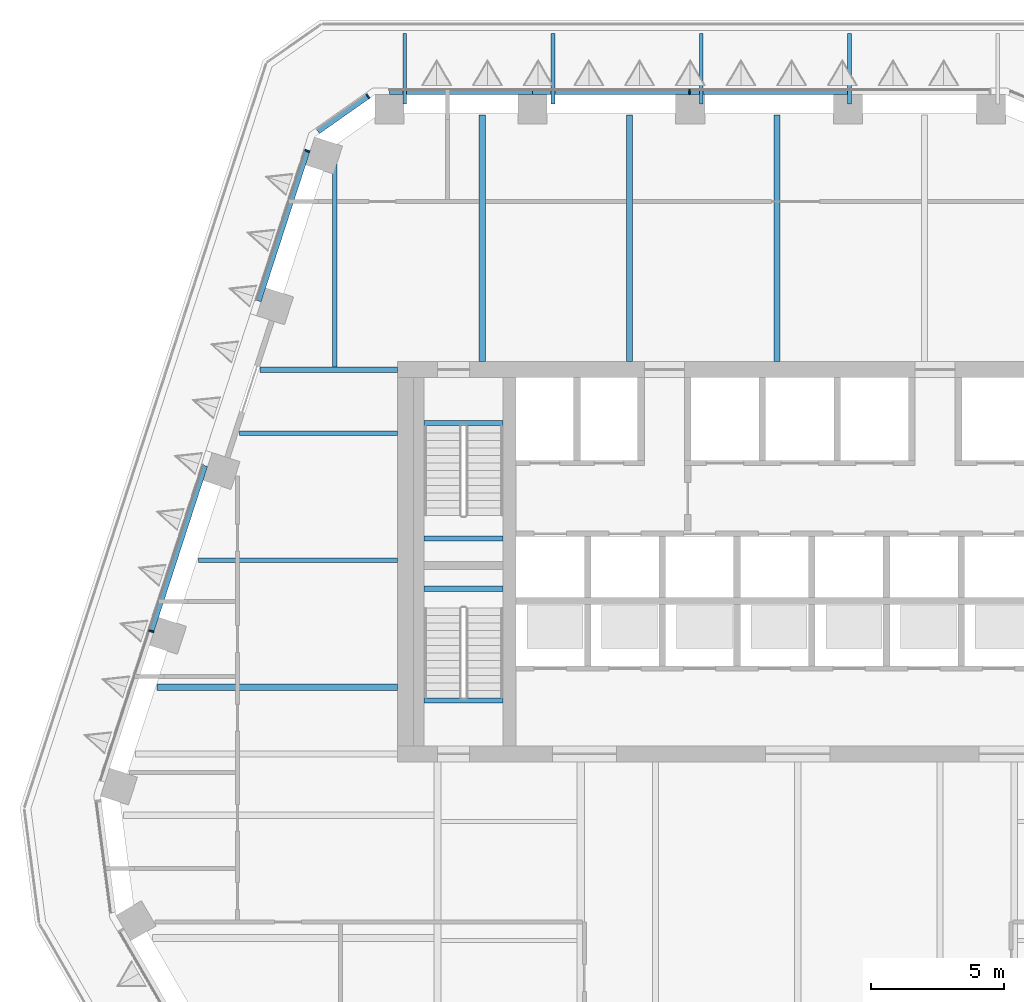
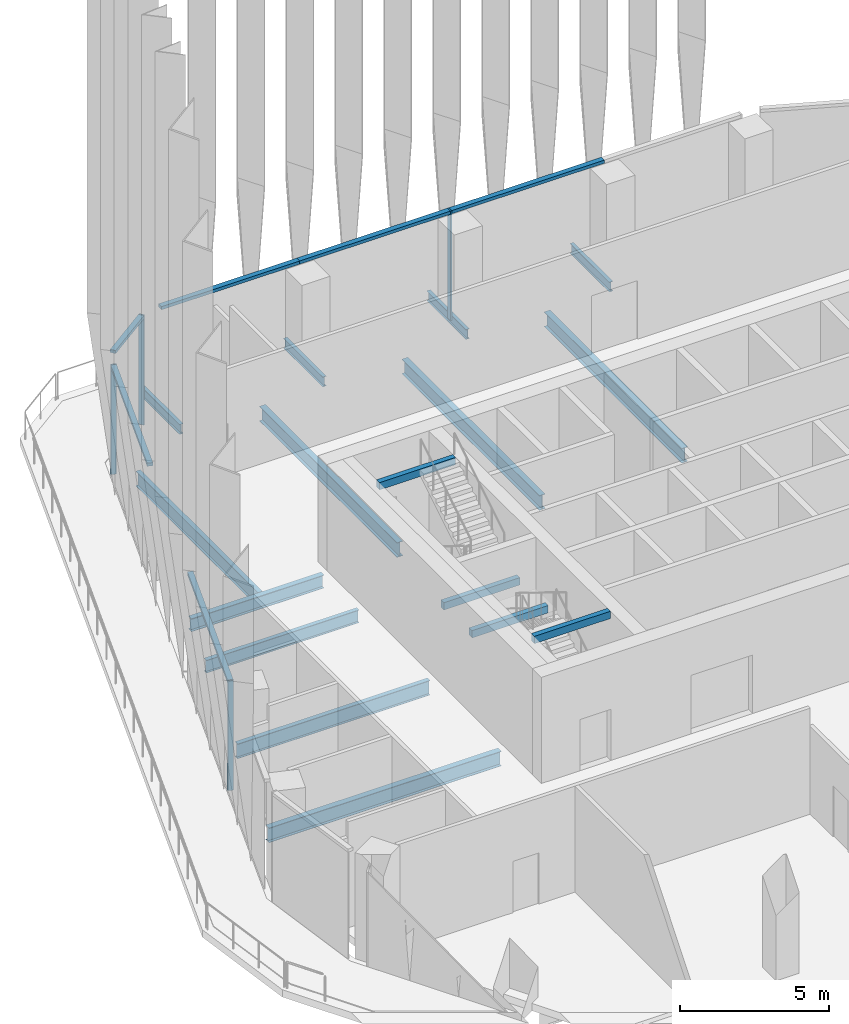
# One storey, part 6 of 21: 16 beams, 10 members, 3 elements without a shape of their own.
"""IFC4 building model written with IfcOpenShell, lengths in metres."""

from ifc_helpers import new_model, si_unit, direction, frame, origin, origin_2d, place, context, subcontext, project, spatial, rectangle, i_section, extrude, material, layer, layer_set, material_profile, profile_set, type_object, element, aggregate, save


model = new_model("IFC4")

# Units and contexts
model_context = context("Model", 3, precision=1e-05, world=origin(), true_north=direction((0.0, 1.0)))
body_context = subcontext(model_context, "Body", "Model", "MODEL_VIEW")
ifc_project = project(units=[si_unit("LENGTHUNIT", "METRE"), si_unit("AREAUNIT", "SQUARE_METRE"), si_unit("VOLUMEUNIT", "CUBIC_METRE"), si_unit("PLANEANGLEUNIT", "RADIAN"), si_unit("MASSUNIT", "GRAM", prefix="KILO")], contexts=[model_context])

# Site, building, storey
site_placement = place(None, origin())
site = spatial("IfcSite", under=ifc_project, at=site_placement, CompositionType="ELEMENT")
building_placement = place(site_placement, origin())
building = spatial("IfcBuilding", under=site, at=building_placement, Name="Isthmus Gate Tower", CompositionType="ELEMENT")
storey_placement = place(building_placement, frame((0.0, 0.0, 211.800048828125)))
storey = spatial("IfcBuildingStorey", under=building, at=storey_placement, Name="L53", CompositionType="ELEMENT", Elevation=211.800048828125)

# Curtain wall, member
ifc_material_1 = material(Name="Aluminium, pale champagne anodised", Category="aluminium")
ifc_layer = layer(ifc_material_1, 0.199951171875)
ifc_layer_set = layer_set([ifc_layer], Name="CW-1 UNITISED CURTAIN WALL 200 DEEP")
curtain_wall_type = type_object("IfcCurtainWallType", Name="CW-1 UNITISED CURTAIN WALL 200 DEEP", PredefinedType="NOTDEFINED", material=ifc_layer_set)
curtain_wall_1_placement = place(storey_placement, origin())
curtain_wall_1 = element("IfcCurtainWall", 1, at=curtain_wall_1_placement, inside=storey, type_object=curtain_wall_type, Name="CW-1 N L53", PredefinedType="NOTDEFINED")
ifc_material_2 = material(Name="Aluminium, pale champagne anodised", Category="aluminium")
ifc_material_profile_1 = material_profile(ifc_material_2, rectangle(XDim=0.06005859375, YDim=0.199951171875, at=origin_2d()), Name="60x200")
ifc_profile_set_1 = profile_set([ifc_material_profile_1], Name="Aluminium, pale champagne anodised")
member_type_1 = type_object("IfcMemberType", Name="CW-1 MULLION 60 X 200", PredefinedType="MULLION", material=ifc_profile_set_1)
member_1_placement = place(storey_placement, frame((-4.06005859375, 25.10009765625, 0.0), z_axis=(0.0, 0.0, 1.0), x_axis=(-1.0, 0.0, 0.0)))
member_1 = element("IfcMember", 2, at=member_1_placement, type_object=member_type_1, Name="CW-1 mullion", PredefinedType="MULLION", context=body_context, shape_type="SweptSolid", body=[
    extrude(rectangle(XDim=0.06005859375, YDim=0.199951171875, at=origin_2d()), origin(), (0.0, 0.0, 1.0), 4.5),
])

curtain_wall_2_placement = place(storey_placement, origin())
curtain_wall_2 = element("IfcCurtainWall", 3, at=curtain_wall_2_placement, inside=storey, type_object=curtain_wall_type, Name="CW-1 N-NW L53", PredefinedType="NOTDEFINED")
member_2_placement = place(storey_placement, frame((-16.10595703125, 24.943115234375, 0.0), z_axis=(0.0, 0.0, 1.0), x_axis=(-0.81785959165, -0.57541783805, 0.0)))
member_2 = element("IfcMember", 4, at=member_2_placement, type_object=member_type_1, Name="CW-1 mullion", PredefinedType="MULLION", context=body_context, shape_type="SweptSolid", body=[
    extrude(rectangle(XDim=0.06005859375, YDim=0.199951171875, at=origin_2d()), origin(), (0.0, 0.0, 1.0), 4.5),
])

# Curtain wall, members
curtain_wall_3_placement = place(storey_placement, origin())
curtain_wall_3 = element("IfcCurtainWall", 5, at=curtain_wall_3_placement, inside=storey, type_object=curtain_wall_type, Name="CW-1 NW L53", PredefinedType="NOTDEFINED")
member_3_placement = place(storey_placement, frame((-18.37841796875, 22.894287109375, 0.0), z_axis=(0.0, 0.0, 1.0), x_axis=(-0.309016994375, -0.951056516295, 0.0)))
member_3 = element("IfcMember", 6, at=member_3_placement, type_object=member_type_1, Name="CW-1 mullion", PredefinedType="MULLION", context=body_context, shape_type="SweptSolid", body=[
    extrude(rectangle(XDim=0.06005859375, YDim=0.199951171875, at=origin_2d()), origin(), (0.0, 0.0, 1.0), 4.5),
])
member_4_placement = place(storey_placement, frame((-24.226806640625, 4.894775390625, 0.0), z_axis=(0.0, 0.0, 1.0), x_axis=(-0.309016994375, -0.951056516295, 0.0)))
member_4 = element("IfcMember", 7, at=member_4_placement, type_object=member_type_1, Name="CW-1 mullion", PredefinedType="MULLION", context=body_context, shape_type="SweptSolid", body=[
    extrude(rectangle(XDim=0.06005859375, YDim=0.199951171875, at=origin_2d()), origin(), (0.0, 0.0, 1.0), 4.5),
])

# Member
ifc_material_3 = material(Name="Aluminium, pale champagne anodised", Category="aluminium")
ifc_material_profile_2 = material_profile(ifc_material_3, rectangle(XDim=0.199951171875, YDim=0.1298828125, at=origin_2d()), Name="200x130")
ifc_profile_set_2 = profile_set([ifc_material_profile_2], Name="Aluminium, pale champagne anodised")
member_type_2 = type_object("IfcMemberType", Name="CW-1 TRANSOM 200 X 130", PredefinedType="USERDEFINED", material=ifc_profile_set_2)
member_5_placement = place(storey_placement, frame((1.880615234375, 25.10009765625, 4.43505859375), z_axis=(-1.0, 0.0, 0.0), x_axis=(0.0, -1.0, 0.0)))
member_5 = element("IfcMember", 8, at=member_5_placement, type_object=member_type_2, Name="CW-1 transom", ObjectType="TRANSOM", PredefinedType="USERDEFINED", context=body_context, shape_type="SweptSolid", body=[
    extrude(rectangle(XDim=0.199951171875, YDim=0.1298828125, at=origin_2d()), origin(), (0.0, 0.0, 1.0), 5.91064453125),
])

member_6_placement = place(storey_placement, frame((-4.090087890625, 25.10009765625, 4.43505859375), z_axis=(-1.0, 0.0, 0.0), x_axis=(0.0, -1.0, 0.0)))
member_6 = element("IfcMember", 9, at=member_6_placement, type_object=member_type_2, Name="CW-1 transom", ObjectType="TRANSOM", PredefinedType="USERDEFINED", context=body_context, shape_type="SweptSolid", body=[
    extrude(rectangle(XDim=0.199951171875, YDim=0.1298828125, at=origin_2d()), origin(), (0.0, 0.0, 1.0), 5.8505859375),
])

member_7_placement = place(storey_placement, frame((-9.940673828125, 25.10009765625, 4.43505859375), z_axis=(-1.0, 0.0, 0.0), x_axis=(0.0, -1.0, 0.0)))
member_7 = element("IfcMember", 10, at=member_7_placement, type_object=member_type_2, Name="CW-1 transom", ObjectType="TRANSOM", PredefinedType="USERDEFINED", context=body_context, shape_type="SweptSolid", body=[
    extrude(rectangle(XDim=0.199951171875, YDim=0.1298828125, at=origin_2d()), origin(), (0.0, 0.0, 1.0), 5.360595703125),
])

aggregate(curtain_wall_1, [member_5, member_1, member_6, member_7])

member_8_placement = place(storey_placement, frame((-16.130615234375, 24.92578125, 4.43505859375), z_axis=(-0.817868595604, -0.575405040233, 0.0), x_axis=(0.575405040233, -0.817868595604, 0.0)))
member_8 = element("IfcMember", 11, at=member_8_placement, type_object=member_type_2, Name="CW-1 transom", ObjectType="TRANSOM", PredefinedType="USERDEFINED", context=body_context, shape_type="SweptSolid", body=[
    extrude(rectangle(XDim=0.199951171875, YDim=0.1298828125, at=origin_2d()), origin(), (0.0, 0.0, 1.0), 2.258544921875),
])

aggregate(curtain_wall_2, [member_2, member_8])

member_9_placement = place(storey_placement, frame((-18.3876953125, 22.86572265625, 4.43505859375), z_axis=(-0.309021311898, -0.951055113436, 0.0), x_axis=(0.951055113436, -0.309021311898, 0.0)))
member_9 = element("IfcMember", 12, at=member_9_placement, type_object=member_type_2, Name="CW-1 transom", ObjectType="TRANSOM", PredefinedType="USERDEFINED", context=body_context, shape_type="SweptSolid", body=[
    extrude(rectangle(XDim=0.199951171875, YDim=0.1298828125, at=origin_2d()), origin(), (0.0, 0.0, 1.0), 5.8818359375),
])

member_10_placement = place(storey_placement, frame((-22.21142578125, 11.09765625, 4.43505859375), z_axis=(-0.309009541063, -0.951058937991, 0.0), x_axis=(0.951058937991, -0.309009541063, 0.0)))
member_10 = element("IfcMember", 13, at=member_10_placement, type_object=member_type_2, Name="CW-1 transom", ObjectType="TRANSOM", PredefinedType="USERDEFINED", context=body_context, shape_type="SweptSolid", body=[
    extrude(rectangle(XDim=0.199951171875, YDim=0.1298828125, at=origin_2d()), origin(), (0.0, 0.0, 1.0), 6.491943359375),
])

aggregate(curtain_wall_3, [member_3, member_9, member_10, member_4])

# Beams
ifc_material_4 = material(Name="Concrete f'c 40 MPa", Category="concrete")
ifc_material_profile_3 = material_profile(ifc_material_4, rectangle(XDim=0.199951171875, YDim=0.300048828125, at=origin_2d()), Name="STAIR LANDING BEAM RC 200 X 300")
ifc_profile_set_3 = profile_set([ifc_material_profile_3], Name="Concrete f'c 40 MPa")
beam_type_1 = type_object("IfcBeamType", Name="STAIR LANDING BEAM RC 200 X 300", PredefinedType="BEAM", material=ifc_profile_set_3)
for number, where, z_axis, x_axis, name in (
    (14, (-14.0, 8.3701171875, 1.89990234375), (1.0, 0.0, 0.0), (0.0, 1.0, 0.0), "L53 ST1 landing beam 1"),
    (15, (-14.0, 12.7001953125, 4.199951171875), (1.0, 0.0, 0.0), (0.0, 1.0, 0.0), "L53 ST1 floor-edge seat beam"),
    (16, (-14.0, 6.47998046875, 1.89990234375), (1.0, 0.0, 0.0), (0.0, 1.0, 0.0), "L53 ST7 landing beam 1"),
    (17, (-14.0, 2.2998046875, 4.199951171875), (1.0, 0.0, 0.0), (0.0, 1.0, 0.0), "L53 ST7 floor-edge seat beam"),
):
    element("IfcBeam", number, at=place(storey_placement, frame(where, z_axis=z_axis, x_axis=x_axis)), inside=storey, type_object=beam_type_1, Name=name, PredefinedType="BEAM", context=body_context, shape_type="SweptSolid", body=[
        extrude(rectangle(XDim=0.199951171875, YDim=0.300048828125, at=origin_2d()), origin(), (0.0, 0.0, 1.0), 2.949951171875),
    ])
ifc_material_5 = material(Name="Structural steel ASTM A992 Gr 50", Category="steel")
ifc_material_profile_4 = material_profile(ifc_material_5, i_section(OverallWidth=0.1650390625, OverallDepth=0.52392578125, WebThickness=0.009521484375, FlangeThickness=0.010986328125, at=origin_2d()), Name="W21X44")
ifc_profile_set_4 = profile_set([ifc_material_profile_4], Name="Structural steel ASTM A992 Gr 50")
beam_type_2 = type_object("IfcBeamType", Name="STEEL FLOOR BEAM W21X44", PredefinedType="JOIST", material=ifc_profile_set_4)
beam_1_placement = place(storey_placement, frame((-20.91748046875, 12.319091796875, -0.56201171875), z_axis=(1.0, 0.0, 0.0), x_axis=(0.0, 1.0, 0.0)))
element("IfcBeam", 18, at=beam_1_placement, inside=storey, type_object=beam_type_2, Name="str-beam-L53-00-02", PredefinedType="JOIST", context=body_context, shape_type="SweptSolid", body=[
    extrude(i_section(OverallWidth=0.1650390625, OverallDepth=0.52392578125, WebThickness=0.009521484375, FlangeThickness=0.010986328125, at=origin_2d()), origin(), (0.0, 0.0, 1.0), 5.91748046875),
])
ifc_material_6 = material(Name="Structural steel ASTM A992 Gr 50", Category="steel")
ifc_material_profile_5 = material_profile(ifc_material_6, i_section(OverallWidth=0.177734375, OverallDepth=0.60009765625, WebThickness=0.009521484375, FlangeThickness=0.0126953125, at=origin_2d()), Name="W24X55")
ifc_profile_set_5 = profile_set([ifc_material_profile_5], Name="Structural steel ASTM A992 Gr 50")
beam_type_3 = type_object("IfcBeamType", Name="STEEL FLOOR BEAM W24X55", PredefinedType="JOIST", material=ifc_profile_set_5)
beam_2_placement = place(storey_placement, frame((-22.464599609375, 7.55712890625, -0.60009765625), z_axis=(1.0, 0.0, 0.0), x_axis=(0.0, 1.0, 0.0)))
element("IfcBeam", 19, at=beam_2_placement, inside=storey, type_object=beam_type_3, Name="str-beam-L53-00-01", PredefinedType="JOIST", context=body_context, shape_type="SweptSolid", body=[
    extrude(i_section(OverallWidth=0.177734375, OverallDepth=0.60009765625, WebThickness=0.009521484375, FlangeThickness=0.0126953125, at=origin_2d()), origin(), (0.0, 0.0, 1.0), 7.464599609375),
])
beam_3_placement = place(storey_placement, frame((-17.34765625, 14.8046875, -0.60009765625), z_axis=(0.0, 1.0, 0.0), x_axis=(-1.0, 0.0, 0.0)))
element("IfcBeam", 20, at=beam_3_placement, inside=storey, type_object=beam_type_3, Name="str-beam-L53-05-00", PredefinedType="JOIST", context=body_context, shape_type="SweptSolid", body=[
    extrude(i_section(OverallWidth=0.177734375, OverallDepth=0.60009765625, WebThickness=0.009521484375, FlangeThickness=0.0126953125, at=origin_2d()), origin(), (0.0, 0.0, 1.0), 8.2216796875),
])
ifc_material_7 = material(Name="Structural steel ASTM A992 Gr 50", Category="steel")
ifc_material_profile_6 = material_profile(ifc_material_7, i_section(OverallWidth=0.228515625, OverallDepth=0.603271484375, WebThickness=0.010986328125, FlangeThickness=0.014404296875, at=origin_2d()), Name="W24X68")
ifc_profile_set_6 = profile_set([ifc_material_profile_6], Name="Structural steel ASTM A992 Gr 50")
beam_type_4 = type_object("IfcBeamType", Name="STEEL FLOOR BEAM W24X68", PredefinedType="JOIST", material=ifc_profile_set_6)
beam_4_placement = place(storey_placement, frame((-24.011962890625, 2.795166015625, -0.6015625), z_axis=(1.0, 0.0, 0.0), x_axis=(0.0, 1.0, 0.0)))
element("IfcBeam", 21, at=beam_4_placement, inside=storey, type_object=beam_type_4, Name="str-beam-L53-00-00", PredefinedType="JOIST", context=body_context, shape_type="SweptSolid", body=[
    extrude(i_section(OverallWidth=0.228515625, OverallDepth=0.603271484375, WebThickness=0.010986328125, FlangeThickness=0.014404296875, at=origin_2d()), origin(), (0.0, 0.0, 1.0), 9.011962890625),
])
for number, where, z_axis, x_axis, name in (
    (22, (-11.822998046875, 15.0, -0.6015625), (0.0, 1.0, 0.0), (-1.0, 0.0, 0.0), "str-beam-L53-05-01"),
    (23, (-6.298583984375, 15.0, -0.6015625), (0.0, 1.0, 0.0), (-1.0, 0.0, 0.0), "str-beam-L53-05-02"),
    (24, (-0.77392578125, 15.0, -0.6015625), (0.0, 1.0, 0.0), (-1.0, 0.0, 0.0), "str-beam-L53-05-03"),
):
    element("IfcBeam", number, at=place(storey_placement, frame(where, z_axis=z_axis, x_axis=x_axis)), inside=storey, type_object=beam_type_4, Name=name, PredefinedType="JOIST", context=body_context, shape_type="SweptSolid", body=[
        extrude(i_section(OverallWidth=0.228515625, OverallDepth=0.603271484375, WebThickness=0.010986328125, FlangeThickness=0.014404296875, at=origin_2d()), origin(), (0.0, 0.0, 1.0), 9.246826171875),
    ])
ifc_material_8 = material(Name="Structural steel ASTM A992 Gr 50", Category="steel")
ifc_material_profile_7 = material_profile(ifc_material_8, i_section(OverallWidth=0.20947265625, OverallDepth=0.533447265625, WebThickness=0.009521484375, FlangeThickness=0.015869140625, at=origin_2d()), Name="W21X62")
ifc_profile_set_7 = profile_set([ifc_material_profile_7], Name="Structural steel ASTM A992 Gr 50")
beam_type_5 = type_object("IfcBeamType", Name="STEEL GIRDER W21X62", PredefinedType="BEAM", material=ifc_profile_set_7)
beam_5_placement = place(storey_placement, frame((-15.0, 14.699951171875, -0.566650390625), z_axis=(-1.0, 0.0, 0.0), x_axis=(0.0, -1.0, 0.0)))
element("IfcBeam", 25, at=beam_5_placement, inside=storey, type_object=beam_type_5, Name="str-girder-L53-11", PredefinedType="BEAM", context=body_context, shape_type="SweptSolid", body=[
    extrude(i_section(OverallWidth=0.20947265625, OverallDepth=0.533447265625, WebThickness=0.009521484375, FlangeThickness=0.015869140625, at=origin_2d()), origin(), (0.0, 0.0, 1.0), 5.143798828125),
])
ifc_material_9 = material(Name="Structural steel ASTM A992 Gr 50", Category="steel")
ifc_material_profile_8 = material_profile(ifc_material_9, i_section(OverallWidth=0.1396484375, OverallDepth=0.4033203125, WebThickness=0.00634765625, FlangeThickness=0.010986328125, at=origin_2d()), Name="W16X31")
ifc_profile_set_8 = profile_set([ifc_material_profile_8], Name="Structural steel ASTM A992 Gr 50")
beam_type_6 = type_object("IfcBeamType", Name="STEEL LEDGE BEAM W16X31", PredefinedType="JOIST", material=ifc_profile_set_8)
for number, where, z_axis, x_axis, name in (
    (26, (-14.732177734375, 24.6533203125, -0.501708984375), (0.0, 1.0, 0.0), (-1.0, 0.0, 0.0), "str-ringbeam-L53-00-05"),
    (27, (-9.17529296875, 24.6533203125, -0.501708984375), (0.0, 1.0, 0.0), (-1.0, 0.0, 0.0), "str-ringbeam-L53-00-07"),
    (28, (-3.618408203125, 24.6533203125, -0.501708984375), (0.0, 1.0, 0.0), (-1.0, 0.0, 0.0), "str-ringbeam-L53-00-09"),
    (29, (1.9384765625, 24.6533203125, -0.501708984375), (0.0, 1.0, 0.0), (-1.0, 0.0, 0.0), "str-ringbeam-L53-00-11"),
):
    element("IfcBeam", number, at=place(storey_placement, frame(where, z_axis=z_axis, x_axis=x_axis)), inside=storey, type_object=beam_type_6, Name=name, PredefinedType="JOIST", context=body_context, shape_type="SweptSolid", body=[
        extrude(i_section(OverallWidth=0.1396484375, OverallDepth=0.4033203125, WebThickness=0.00634765625, FlangeThickness=0.010986328125, at=origin_2d()), origin(), (0.0, 0.0, 1.0), 2.635498046875),
    ])

save(model, "model.ifc")
